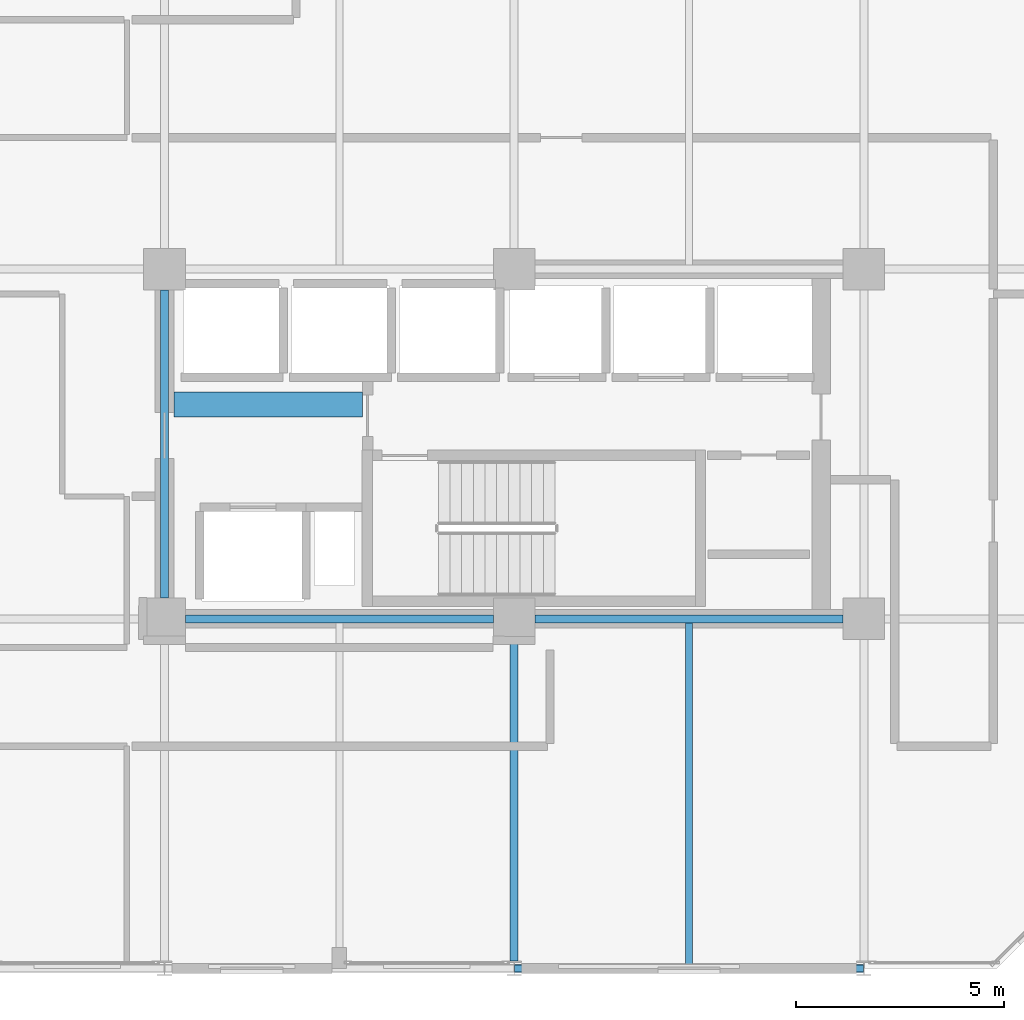
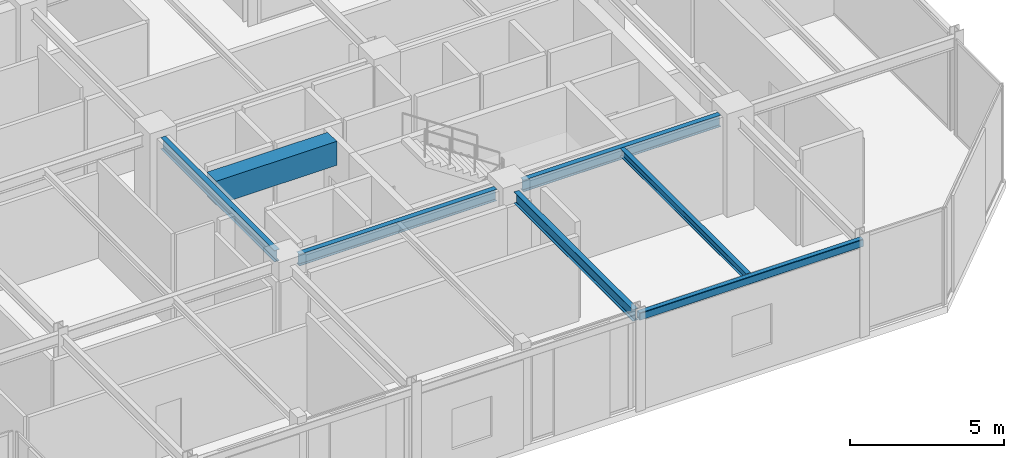
# One storey, part 7 of 25: 7 beams.
"""IFC4 building model written with IfcOpenShell, lengths in metres."""

from ifc_helpers import new_model, si_unit, direction, frame, origin, origin_2d, place, context, subcontext, project, spatial, rectangle, hollow_rectangle, i_section, extrude, material, material_profile, profile_set, type_object, element, save


model = new_model("IFC4")

# Units and contexts
model_context = context("Model", 3, precision=1e-05, world=origin(), true_north=direction((0.0, 1.0)))
body_context = subcontext(model_context, "Body", "Model", "MODEL_VIEW")
ifc_project = project(units=[si_unit("LENGTHUNIT", "METRE"), si_unit("AREAUNIT", "SQUARE_METRE"), si_unit("VOLUMEUNIT", "CUBIC_METRE"), si_unit("PLANEANGLEUNIT", "RADIAN"), si_unit("MASSUNIT", "GRAM", prefix="KILO")], contexts=[model_context])

# Site, building, storey
site_placement = place(None, origin())
site = spatial("IfcSite", under=ifc_project, at=site_placement, CompositionType="ELEMENT")
building_placement = place(site_placement, origin())
building = spatial("IfcBuilding", under=site, at=building_placement, Name="Nerrivon Quay Data Exchange", CompositionType="ELEMENT")
storey_placement = place(building_placement, frame((0.0, 0.0, 224.699951171875)))
storey = spatial("IfcBuildingStorey", under=building, at=storey_placement, Name="L53", CompositionType="ELEMENT", Elevation=224.699951171875)

# Beams
ifc_material_1 = material(Name="Concrete N50 (50 MPa)", Category="concrete")
ifc_material_profile_1 = material_profile(ifc_material_1, rectangle(XDim=0.60009765625, YDim=0.949951171875, at=origin_2d()), Name="RC-CB-600x950")
ifc_profile_set_1 = profile_set([ifc_material_profile_1], Name="Concrete N50 (50 MPa)")
beam_type_1 = type_object("IfcBeamType", Name="BM-CB2-600x950", PredefinedType="LINTEL", material=ifc_profile_set_1)
beam_1_placement = place(storey_placement, frame((17.02490234375, 13.550048828125, 3.35009765625), z_axis=(1.0, 0.0, 0.0), x_axis=(0.0, 1.0, 0.0)))
element("IfcBeam", 1, at=beam_1_placement, inside=storey, type_object=beam_type_1, Name="L53 East Core Coupling Beam", PredefinedType="LINTEL", context=body_context, shape_type="SweptSolid", body=[
    extrude(rectangle(XDim=0.60009765625, YDim=0.949951171875, at=origin_2d()), origin(), (0.0, 0.0, 1.0), 4.530029296875),
])
ifc_material_2 = material(Name="Steel Grade 350", Category="steel")
ifc_material_profile_2 = material_profile(ifc_material_2, i_section(OverallWidth=0.19091796875, OverallDepth=0.4599609375, WebThickness=0.010009765625, FlangeThickness=0.01611328125, FilletRadius=0.011474609375, at=origin_2d()), Name="460UB82.1")
ifc_profile_set_2 = profile_set([ifc_material_profile_2], Name="Steel Grade 350")
beam_type_2 = type_object("IfcBeamType", Name="BM-G5-460UB82", PredefinedType="BEAM", material=ifc_profile_set_2)
beam_2_placement = place(storey_placement, frame((17.300048828125, 8.39990234375, 3.594970703125), z_axis=(1.0, 0.0, 0.0), x_axis=(0.0, 1.0, 0.0)))
element("IfcBeam", 2, at=beam_2_placement, inside=storey, type_object=beam_type_2, Name="L53 EW Girder Y=8.4 (16.8..25.2)", PredefinedType="BEAM", context=body_context, shape_type="SweptSolid", body=[
    extrude(i_section(OverallWidth=0.19091796875, OverallDepth=0.4599609375, WebThickness=0.010009765625, FlangeThickness=0.01611328125, FilletRadius=0.011474609375, at=origin_2d()), origin(), (0.0, 0.0, 1.0), 7.39990234375),
])
beam_3_placement = place(storey_placement, frame((25.699951171875, 8.39990234375, 3.594970703125), z_axis=(1.0, 0.0, 0.0), x_axis=(0.0, 1.0, 0.0)))
element("IfcBeam", 3, at=beam_3_placement, inside=storey, type_object=beam_type_2, Name="L53 EW Girder Y=8.4 (25.2..33.6)", PredefinedType="BEAM", context=body_context, shape_type="SweptSolid", body=[
    extrude(i_section(OverallWidth=0.19091796875, OverallDepth=0.4599609375, WebThickness=0.010009765625, FlangeThickness=0.01611328125, FilletRadius=0.011474609375, at=origin_2d()), origin(), (0.0, 0.0, 1.0), 7.400146484375),
])
ifc_material_profile_3 = material_profile(ifc_material_2, i_section(OverallWidth=0.18994140625, OverallDepth=0.4541015625, WebThickness=0.008544921875, FlangeThickness=0.0126953125, FilletRadius=0.011474609375, at=origin_2d()), Name="460UB67.1")
ifc_profile_set_3 = profile_set([ifc_material_profile_3], Name="Steel Grade 350")
beam_type_3 = type_object("IfcBeamType", Name="BM-G6-460UB67", PredefinedType="BEAM", material=ifc_profile_set_3)
beam_4_placement = place(storey_placement, frame((16.800048828125, 8.89990234375, 3.59814453125), z_axis=(0.0, 1.0, 0.0), x_axis=(-1.0, 0.0, 0.0)))
element("IfcBeam", 4, at=beam_4_placement, inside=storey, type_object=beam_type_3, Name="L53 NS Girder X=16.8 (8.4..16.8)", PredefinedType="BEAM", context=body_context, shape_type="SweptSolid", body=[
    extrude(i_section(OverallWidth=0.18994140625, OverallDepth=0.4541015625, WebThickness=0.008544921875, FlangeThickness=0.0126953125, FilletRadius=0.011474609375, at=origin_2d()), origin(), (0.0, 0.0, 1.0), 7.400146484375),
])
beam_5_placement = place(storey_placement, frame((25.199951171875, 0.175048828125, 3.59814453125), z_axis=(0.0, 1.0, 0.0), x_axis=(-1.0, 0.0, 0.0)))
element("IfcBeam", 5, at=beam_5_placement, inside=storey, type_object=beam_type_3, Name="L53 NS Girder X=25.2 (0.0..8.4)", PredefinedType="BEAM", context=body_context, shape_type="SweptSolid", body=[
    extrude(i_section(OverallWidth=0.18994140625, OverallDepth=0.4541015625, WebThickness=0.008544921875, FlangeThickness=0.0126953125, FilletRadius=0.011474609375, at=origin_2d()), origin(), (0.0, 0.0, 1.0), 7.724853515625),
])
ifc_material_profile_4 = material_profile(ifc_material_2, i_section(OverallWidth=0.166015625, OverallDepth=0.306884765625, WebThickness=0.006591796875, FlangeThickness=0.01171875, FilletRadius=0.011474609375, at=origin_2d()), Name="310UB46.2")
ifc_profile_set_4 = profile_set([ifc_material_profile_4], Name="Steel Grade 350")
beam_type_4 = type_object("IfcBeamType", Name="BM-J5-310UB46", PredefinedType="JOIST", material=ifc_profile_set_4)
beam_6_placement = place(storey_placement, frame((29.39990234375, 0.10009765625, 3.671630859375), z_axis=(0.0, 1.0, 0.0), x_axis=(-1.0, 0.0, 0.0)))
element("IfcBeam", 6, at=beam_6_placement, inside=storey, type_object=beam_type_4, Name="L53 Secondary Joist X=29.4 (0.0..8.4)", PredefinedType="JOIST", context=body_context, shape_type="SweptSolid", body=[
    extrude(i_section(OverallWidth=0.166015625, OverallDepth=0.306884765625, WebThickness=0.006591796875, FlangeThickness=0.01171875, FilletRadius=0.011474609375, at=origin_2d()), origin(), (0.0, 0.0, 1.0), 8.204345703125),
])
ifc_material_3 = material(Name="Steel Grade C350L0 (350 MPa)", Category="steel")
ifc_material_profile_5 = material_profile(ifc_material_3, hollow_rectangle(XDim=0.199951171875, YDim=0.300048828125, WallThickness=0.012451171875, InnerFilletRadius=0.018798828125, OuterFilletRadius=0.03125, at=origin_2d()), Name="300x200x12.5RHS")
ifc_profile_set_5 = profile_set([ifc_material_profile_5], Name="Steel Grade C350L0 (350 MPa)")
beam_type_5 = type_object("IfcBeamType", Name="BM-SP3-300x200RHS", PredefinedType="SPANDREL", material=ifc_profile_set_5)
beam_7_placement = place(storey_placement, frame((25.2099609375, 0.0, 3.675048828125), z_axis=(1.0, 0.0, 0.0), x_axis=(0.0, 1.0, 0.0)))
element("IfcBeam", 7, at=beam_7_placement, inside=storey, type_object=beam_type_5, Name="L53 EW Girder Y=0.0 (25.2..33.6)", PredefinedType="SPANDREL", context=body_context, shape_type="SweptSolid", body=[
    extrude(hollow_rectangle(XDim=0.199951171875, YDim=0.300048828125, WallThickness=0.012451171875, InnerFilletRadius=0.018798828125, OuterFilletRadius=0.03125, at=origin_2d()), origin(), (0.0, 0.0, 1.0), 8.380126953125),
])

save(model, "model.ifc")
